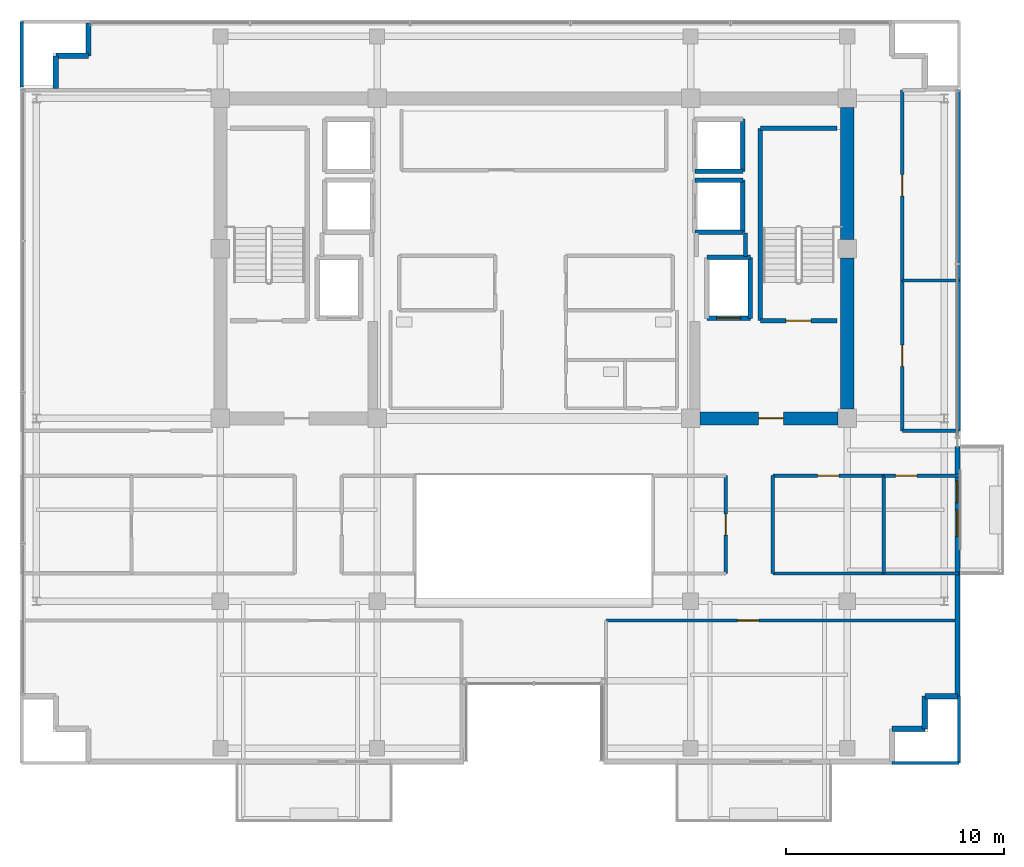
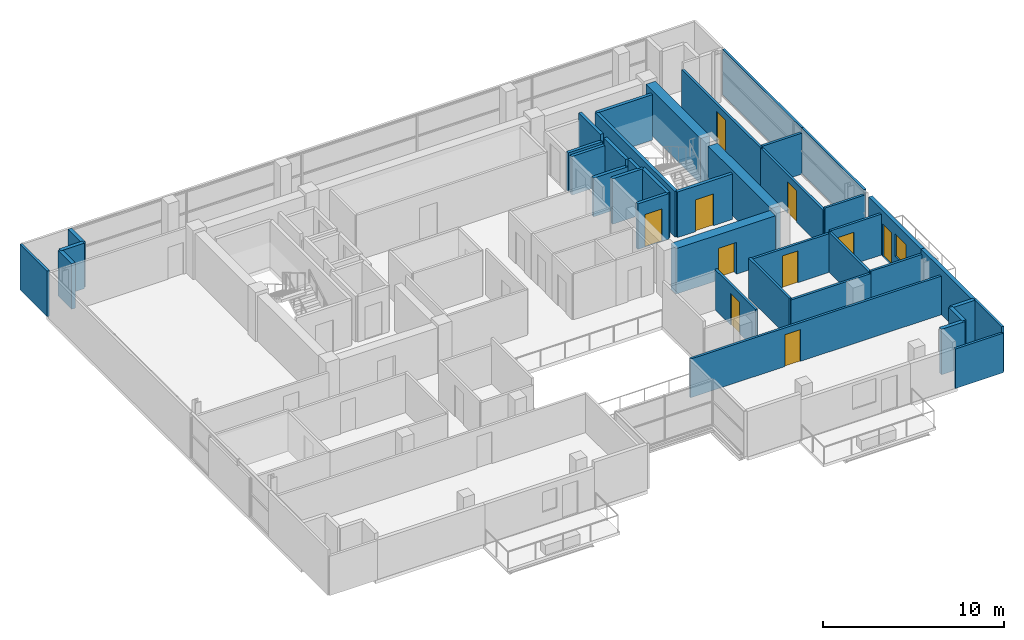
# One storey, part 18 of 23: 40 walls, 10 doors, 1 window, 11 openings.
"""IFC4 building model written with IfcOpenShell, lengths in metres."""

from ifc_helpers import new_model, si_unit, direction, frame, frame_2d, origin, place, context, subcontext, project, spatial, rectangle, extrude, source, transform, mapped, material, layer, layer_set, type_object, element, fill, save


model = new_model("IFC4")

# Units and contexts
model_context = context("Model", 3, precision=1e-05, world=origin(), true_north=direction((0.0, 1.0)))
body_context = subcontext(model_context, "Body", "Model", "MODEL_VIEW")
ifc_project = project(units=[si_unit("LENGTHUNIT", "METRE"), si_unit("AREAUNIT", "SQUARE_METRE"), si_unit("VOLUMEUNIT", "CUBIC_METRE"), si_unit("PLANEANGLEUNIT", "RADIAN"), si_unit("MASSUNIT", "GRAM", prefix="KILO")], contexts=[model_context])

# Site, building, storey
site_placement = place(None, origin())
site = spatial("IfcSite", under=ifc_project, at=site_placement, CompositionType="ELEMENT")
building_placement = place(site_placement, origin())
building = spatial("IfcBuilding", under=site, at=building_placement, Name="Zarnakvel Exchange Tower", CompositionType="ELEMENT")
storey_placement = place(building_placement, frame((0.0, 0.0, 218.800048828125)))
storey = spatial("IfcBuildingStorey", under=building, at=storey_placement, Name="L61", CompositionType="ELEMENT", Elevation=218.800048828125)

# Walls
ifc_material_1 = material(Name="Concrete C50/60", Category="concrete")
ifc_layer_1 = layer(ifc_material_1, 0.60009765625)
ifc_layer_set_1 = layer_set([ifc_layer_1], Name="Concrete C50/60")
wall_type_1 = type_object("IfcWallType", Name="CW-C5", PredefinedType="SHEAR", material=ifc_layer_set_1)
wall_1_placement = place(storey_placement, frame((14.39990234375, -0.77490234375, 0.0), z_axis=(0.0, 0.0, 1.0), x_axis=(0.0, 1.0, 0.0)))
element("IfcWall", 1, at=wall_1_placement, inside=storey, type_object=wall_type_1, Name="L61 Rear Core Shear Wall E1 (CW-C5)", PredefinedType="SHEAR", context=body_context, shape_type="SweptSolid", body=[
    extrude(rectangle(XDim=6.949951171875, YDim=0.60009765625, at=frame_2d((3.47509765625, 0.0))), origin(), (0.0, 0.0, 1.0), 3.074951171875),
])
wall_2_placement = place(storey_placement, frame((14.39990234375, 7.02490234375, 0.0), z_axis=(0.0, 0.0, 1.0), x_axis=(0.0, 1.0, 0.0)))
element("IfcWall", 2, at=wall_2_placement, inside=storey, type_object=wall_type_1, Name="L61 Rear Core Shear Wall E2 (CW-C5)", PredefinedType="SHEAR", context=body_context, shape_type="SweptSolid", body=[
    extrude(rectangle(XDim=6.050048828125, YDim=0.60009765625, at=frame_2d((3.02490234375, 0.0))), origin(), (0.0, 0.0, 1.0), 3.074951171875),
])

# Wall, opening, door
wall_3_placement = place(storey_placement, frame((13.97509765625, -1.199951171875, 0.0), z_axis=(0.0, 0.0, 1.0), x_axis=(-1.0, 0.0, 0.0)))
wall_3 = element("IfcWall", 3, at=wall_3_placement, inside=storey, type_object=wall_type_1, Name="L61 Rear Core Shear Wall SE (CW-C5)", PredefinedType="SHEAR", context=body_context, shape_type="SweptSolid", body=[
    extrude(rectangle(XDim=6.35009765625, YDim=0.60009765625, at=frame_2d((3.175048828125, 0.0))), origin(), (0.0, 0.0, 1.0), 3.074951171875),
])
opening_1_placement = place(wall_3_placement, frame((2.5, 0.0, 0.0)))
opening_1 = element("IfcOpeningElement", 4, at=opening_1_placement, cuts=wall_3, Name="Opening D-L61-04", PredefinedType="OPENING", context=body_context, shape_type="SweptSolid", body=[
    extrude(rectangle(XDim=1.14990234375, YDim=2.14990234375, at=frame_2d((0.574951171875, 1.074951171875))), frame((0.0, 0.31005859375, 0.0), z_axis=(0.0, -1.0, 0.0), x_axis=(1.0, 0.0, 0.0)), (0.0, 0.0, 1.0), 0.6201171875),
])
ifc_material_2 = material(Name="Painted Galvanised Steel S355", Category="steel")
door_type_1 = type_object("IfcDoorType", Name="DT-04", OperationType="NOTDEFINED", PredefinedType="DOOR", material=ifc_material_2)
shared_shape_1 = source(origin(), body_context, "Body", "SweptSolid", [
    extrude(rectangle(XDim=1.14990234375, YDim=2.14990234375, at=frame_2d((0.574951171875, 1.074951171875))), frame((0.0, 0.02490234375, 0.0), z_axis=(0.0, -1.0, 0.0), x_axis=(1.0, 0.0, 0.0)), (0.0, 0.0, 1.0), 0.050048828125),
])
door_1_placement = place(opening_1_placement, origin())
door_1 = element("IfcDoor", 5, at=door_1_placement, inside=storey, type_object=door_type_1, Name="L61 Firefighting Lobby East Door D-L61-04", OperationType="SINGLE_SWING_LEFT", OverallHeight=2.14990234375, OverallWidth=1.14990234375, PredefinedType="DOOR", context=body_context, shape_type="MappedRepresentation", body=[
    mapped(shared_shape_1, transform((0.0, 0.0, 0.0), x_axis=(1.0, 0.0, 0.0), y_axis=(0.0, 1.0, 0.0), z_axis=(0.0, 0.0, 1.0), scale=1.0)),
])
fill(opening_1, door_1)

# Wall, openings, door, window
ifc_material_3 = material(Name="Precast concrete C40/50", Category="concrete")
ifc_layer_2 = layer(ifc_material_3, 0.239990234375)
ifc_layer_set_2 = layer_set([ifc_layer_2], Name="Precast concrete C40/50")
wall_type_2 = type_object("IfcWallType", Name="EW-02", PredefinedType="SOLIDWALL", material=ifc_layer_set_2)
wall_4_placement = place(storey_placement, frame((19.4599609375, -2.5, 0.0), z_axis=(0.0, 0.0, 1.0), x_axis=(0.0, -1.0, 0.0)))
wall_4 = element("IfcWall", 6, at=wall_4_placement, inside=storey, type_object=wall_type_2, Name="L61 Exterior Precast Spandrel Wall EW-BAL-L61-E (EW-02)", PredefinedType="SOLIDWALL", context=body_context, shape_type="SweptSolid", body=[
    extrude(rectangle(XDim=5.800048828125, YDim=0.239990234375, at=frame_2d((2.89990234375, 0.0))), origin(), (0.0, 0.0, 1.0), 3.074951171875),
])
opening_2_placement = place(wall_4_placement, frame((1.56591796875, 0.0, 0.0)))
opening_2 = element("IfcOpeningElement", 7, at=opening_2_placement, cuts=wall_4, Name="Opening BD-L61-03", PredefinedType="OPENING", context=body_context, shape_type="SweptSolid", body=[
    extrude(rectangle(XDim=1.0, YDim=2.199951171875, at=frame_2d((0.5, 1.10009765625))), frame((0.0, 0.1298828125, 0.0), z_axis=(0.0, -1.0, 0.0), x_axis=(1.0, 0.0, 0.0)), (0.0, 0.0, 1.0), 0.260009765625),
])
opening_3_placement = place(wall_4_placement, frame((2.916015625, 0.0, 0.85009765625)))
opening_3 = element("IfcOpeningElement", 8, at=opening_3_placement, cuts=wall_4, Name="Opening WN-04", PredefinedType="OPENING", context=body_context, shape_type="SweptSolid", body=[
    extrude(rectangle(XDim=1.199951171875, YDim=1.5, at=frame_2d((0.60009765625, 0.75))), frame((0.0, 0.1298828125, 0.0), z_axis=(0.0, -1.0, 0.0), x_axis=(1.0, 0.0, 0.0)), (0.0, 0.0, 1.0), 0.260009765625),
])
ifc_material_4 = material(Name="Architectural Bronze Anodised Aluminium", Category="aluminium")
door_type_2 = type_object("IfcDoorType", Name="DT-09", OperationType="NOTDEFINED", PredefinedType="DOOR", material=ifc_material_4)
shared_shape_2 = source(origin(), body_context, "Body", "SweptSolid", [
    extrude(rectangle(XDim=1.0, YDim=2.199951171875, at=frame_2d((0.5, 1.10009765625))), frame((0.0, 0.02490234375, 0.0), z_axis=(0.0, -1.0, 0.0), x_axis=(1.0, 0.0, 0.0)), (0.0, 0.0, 1.0), 0.050048828125),
])
door_2_placement = place(opening_2_placement, origin())
door_2 = element("IfcDoor", 9, at=door_2_placement, inside=storey, type_object=door_type_2, Name="L61 Planted Loggia Balcony Door BD-L61-03", OperationType="SINGLE_SWING_LEFT", OverallHeight=2.199951171875, OverallWidth=1.0, PredefinedType="DOOR", context=body_context, shape_type="MappedRepresentation", body=[
    mapped(shared_shape_2, transform((0.0, 0.0, 0.0), x_axis=(1.0, 0.0, 0.0), y_axis=(0.0, 1.0, 0.0), z_axis=(0.0, 0.0, 1.0), scale=1.0)),
])
fill(opening_2, door_2)
ifc_material_5 = material(Name="Double Low-E Laminated Vision Glass", Category="glass")
window_type = type_object("IfcWindowType", Name="WN-04", PartitioningType="SINGLE_PANEL", PredefinedType="WINDOW", material=ifc_material_5)
shared_shape_3 = source(origin(), body_context, "Body", "SweptSolid", [
    extrude(rectangle(XDim=1.199951171875, YDim=1.5, at=frame_2d((0.60009765625, 0.75))), frame((0.0, 0.030029296875, 0.0), z_axis=(0.0, -1.0, 0.0), x_axis=(1.0, 0.0, 0.0)), (0.0, 0.0, 1.0), 0.06005859375),
])
window_placement = place(opening_3_placement, origin())
window = element("IfcWindow", 10, at=window_placement, inside=storey, type_object=window_type, Name="L61 Loggia Daylight Window (WN-04)", OverallHeight=1.5, OverallWidth=1.199951171875, PartitioningType="SINGLE_PANEL", PredefinedType="WINDOW", context=body_context, shape_type="MappedRepresentation", body=[
    mapped(shared_shape_3, transform((0.0, 0.0, 0.0), x_axis=(1.0, 0.0, 0.0), y_axis=(0.0, 1.0, 0.0), z_axis=(0.0, 0.0, 1.0), scale=1.0)),
])
fill(opening_3, window)

# Walls
for number, where, z_axis, x_axis, name in (
    (11, (-21.9599609375, 15.4599609375, 0.0), (0.0, 0.0, 1.0), (0.0, -1.0, 0.0), "L61 Exterior Precast Spandrel Wall EWC-L61-02 (EW-02)"),
    (12, (-20.4599609375, 15.4599609375, 0.0), (0.0, 0.0, 1.0), (-1.0, 0.0, 0.0), "L61 Exterior Precast Spandrel Wall EWC-L61-03 (EW-02)"),
    (13, (-20.4599609375, 16.9599609375, 0.0), (0.0, 0.0, 1.0), (0.0, -1.0, 0.0), "L61 Exterior Precast Spandrel Wall EWC-L61-04 (EW-02)"),
):
    element("IfcWall", number, at=place(storey_placement, frame(where, z_axis=z_axis, x_axis=x_axis)), inside=storey, type_object=wall_type_2, Name=name, PredefinedType="SOLIDWALL", context=body_context, shape_type="SweptSolid", body=[
        extrude(rectangle(XDim=1.5, YDim=0.239990234375, at=frame_2d((0.75, 0.0))), origin(), (0.0, 0.0, 1.0), 3.074951171875),
    ])
wall_5_placement = place(storey_placement, frame((19.4599609375, -13.9599609375, 0.0), z_axis=(0.0, 0.0, 1.0), x_axis=(0.0, 1.0, 0.0)))
element("IfcWall", 14, at=wall_5_placement, inside=storey, type_object=wall_type_2, Name="L61 Exterior Precast Spandrel Wall EWC-L61-10 (EW-02)", PredefinedType="SOLIDWALL", context=body_context, shape_type="SweptSolid", body=[
    extrude(rectangle(XDim=5.659912109375, YDim=0.239990234375, at=frame_2d((2.830078125, 0.0))), origin(), (0.0, 0.0, 1.0), 3.074951171875),
])
for number, where, z_axis, x_axis, name in (
    (15, (17.9599609375, -13.9599609375, 0.0), (0.0, 0.0, 1.0), (1.0, 0.0, 0.0), "L61 Exterior Precast Spandrel Wall EWC-L61-11 (EW-02)"),
    (16, (17.9599609375, -15.4599609375, 0.0), (0.0, 0.0, 1.0), (0.0, 1.0, 0.0), "L61 Exterior Precast Spandrel Wall EWC-L61-12 (EW-02)"),
    (17, (16.4599609375, -15.4599609375, 0.0), (0.0, 0.0, 1.0), (1.0, 0.0, 0.0), "L61 Exterior Precast Spandrel Wall EWC-L61-13 (EW-02)"),
):
    element("IfcWall", number, at=place(storey_placement, frame(where, z_axis=z_axis, x_axis=x_axis)), inside=storey, type_object=wall_type_2, Name=name, PredefinedType="SOLIDWALL", context=body_context, shape_type="SweptSolid", body=[
        extrude(rectangle(XDim=1.5, YDim=0.239990234375, at=frame_2d((0.75, 0.0))), origin(), (0.0, 0.0, 1.0), 3.074951171875),
    ])
ifc_material_6 = material(Name="Fire-Rated Gypsum Stud Partition", Category="gypsum")
ifc_layer_3 = layer(ifc_material_6, 0.14990234375)
ifc_layer_set_3 = layer_set([ifc_layer_3], Name="Fire-Rated Gypsum Stud Partition")
wall_type_3 = type_object("IfcWallType", Name="PT-01", PredefinedType="PARTITIONING", material=ifc_layer_set_3)
wall_6_placement = place(storey_placement, frame((16.077880859375, -8.320068359375, 0.0), z_axis=(0.0, 0.0, 1.0), x_axis=(-1.0, 0.0, 0.0)))
element("IfcWall", 18, at=wall_6_placement, inside=storey, type_object=wall_type_3, Name="L61 Partition Wall PWALL-L61-044 (PT-01)", PredefinedType="PARTITIONING", context=body_context, shape_type="SweptSolid", body=[
    extrude(rectangle(XDim=5.097900390625, YDim=0.14990234375, at=frame_2d((2.548828125, 0.0))), origin(), (0.0, 0.0, 1.0), 2.614990234375),
])

# Wall, opening, door
wall_7_placement = place(storey_placement, frame((10.97998046875, -3.830078125, 0.0), z_axis=(0.0, 0.0, 1.0), x_axis=(1.0, 0.0, 0.0)))
wall_7 = element("IfcWall", 19, at=wall_7_placement, inside=storey, type_object=wall_type_3, Name="L61 Partition Wall PWALL-L61-045 (PT-01)", PredefinedType="PARTITIONING", context=body_context, shape_type="SweptSolid", body=[
    extrude(rectangle(XDim=5.097900390625, YDim=0.14990234375, at=frame_2d((2.548828125, 0.0))), origin(), (0.0, 0.0, 1.0), 2.614990234375),
])
opening_4_placement = place(wall_7_placement, frame((2.05908203125, 0.0, 0.0)))
opening_4 = element("IfcOpeningElement", 20, at=opening_4_placement, cuts=wall_7, Name="Opening D-L61-15", PredefinedType="OPENING", context=body_context, shape_type="SweptSolid", body=[
    extrude(rectangle(XDim=0.97998046875, YDim=2.14990234375, at=frame_2d((0.489990234375, 1.074951171875))), frame((0.0, 0.0849609375, 0.0), z_axis=(0.0, -1.0, 0.0), x_axis=(1.0, 0.0, 0.0)), (0.0, 0.0, 1.0), 0.169921875),
])
ifc_material_7 = material(Name="Timber Acoustic Veneer", Category="wood")
door_type_3 = type_object("IfcDoorType", Name="DT-05", OperationType="NOTDEFINED", PredefinedType="DOOR", material=ifc_material_7)
shared_shape_4 = source(origin(), body_context, "Body", "SweptSolid", [
    extrude(rectangle(XDim=0.97998046875, YDim=2.14990234375, at=frame_2d((0.489990234375, 1.074951171875))), frame((0.0, 0.02490234375, 0.0), z_axis=(0.0, -1.0, 0.0), x_axis=(1.0, 0.0, 0.0)), (0.0, 0.0, 1.0), 0.050048828125),
])
door_3_placement = place(opening_4_placement, origin())
door_3 = element("IfcDoor", 21, at=door_3_placement, inside=storey, type_object=door_type_3, Name="L61 Executive Office Door D-L61-15", OperationType="SINGLE_SWING_RIGHT", OverallHeight=2.14990234375, OverallWidth=0.97998046875, PredefinedType="DOOR", context=body_context, shape_type="MappedRepresentation", body=[
    mapped(shared_shape_4, transform((0.0, 0.0, 0.0), x_axis=(1.0, 0.0, 0.0), y_axis=(0.0, 1.0, 0.0), z_axis=(0.0, 0.0, 1.0), scale=1.0)),
])
fill(opening_4, door_3)

# Walls
for number, where, z_axis, x_axis, name in (
    (22, (10.97998046875, -8.320068359375, 0.0), (0.0, 0.0, 1.0), (0.0, 1.0, 0.0), "L61 Partition Wall PWALL-L61-046 (PT-01)"),
    (23, (16.077880859375, -3.830078125, 0.0), (0.0, 0.0, 1.0), (0.0, -1.0, 0.0), "L61 Partition Wall PWALL-L61-047 (PT-01)"),
):
    element("IfcWall", number, at=place(storey_placement, frame(where, z_axis=z_axis, x_axis=x_axis)), inside=storey, type_object=wall_type_3, Name=name, PredefinedType="PARTITIONING", context=body_context, shape_type="SweptSolid", body=[
        extrude(rectangle(XDim=4.489990234375, YDim=0.14990234375, at=frame_2d((2.2451171875, 0.0))), origin(), (0.0, 0.0, 1.0), 2.704833984375),
    ])
wall_8_placement = place(storey_placement, frame((19.530029296875, -8.320068359375, 0.0), z_axis=(0.0, 0.0, 1.0), x_axis=(-1.0, 0.0, 0.0)))
element("IfcWall", 24, at=wall_8_placement, inside=storey, type_object=wall_type_3, Name="L61 Partition Wall PWALL-L61-048 (PT-01)", PredefinedType="PARTITIONING", context=body_context, shape_type="SweptSolid", body=[
    extrude(rectangle(XDim=3.4521484375, YDim=0.14990234375, at=frame_2d((1.72607421875, 0.0))), origin(), (0.0, 0.0, 1.0), 2.764892578125),
])

# Wall, opening, door
wall_9_placement = place(storey_placement, frame((16.077880859375, -3.830078125, 0.0), z_axis=(0.0, 0.0, 1.0), x_axis=(1.0, 0.0, 0.0)))
wall_9 = element("IfcWall", 25, at=wall_9_placement, inside=storey, type_object=wall_type_3, Name="L61 Partition Wall PWALL-L61-049 (PT-01)", PredefinedType="PARTITIONING", context=body_context, shape_type="SweptSolid", body=[
    extrude(rectangle(XDim=3.4521484375, YDim=0.14990234375, at=frame_2d((1.72607421875, 0.0))), origin(), (0.0, 0.0, 1.0), 2.764892578125),
])
opening_5_placement = place(wall_9_placement, frame((0.535888671875, 0.0, 0.0)))
opening_5 = element("IfcOpeningElement", 26, at=opening_5_placement, cuts=wall_9, Name="Opening D-L61-16", PredefinedType="OPENING", context=body_context, shape_type="SweptSolid", body=[
    extrude(rectangle(XDim=0.97998046875, YDim=2.14990234375, at=frame_2d((0.489990234375, 1.074951171875))), frame((0.0, 0.0849609375, 0.0), z_axis=(0.0, -1.0, 0.0), x_axis=(1.0, 0.0, 0.0)), (0.0, 0.0, 1.0), 0.169921875),
])
door_4_placement = place(opening_5_placement, origin())
door_4 = element("IfcDoor", 27, at=door_4_placement, inside=storey, type_object=door_type_3, Name="L61 Meeting Room Door D-L61-16", OperationType="SINGLE_SWING_LEFT", OverallHeight=2.14990234375, OverallWidth=0.97998046875, PredefinedType="DOOR", context=body_context, shape_type="MappedRepresentation", body=[
    mapped(shared_shape_4, transform((0.0, 0.0, 0.0), x_axis=(1.0, 0.0, 0.0), y_axis=(0.0, 1.0, 0.0), z_axis=(0.0, 0.0, 1.0), scale=1.0)),
])
fill(opening_5, door_4)

# Wall
wall_10_placement = place(storey_placement, frame((19.530029296875, -17.030029296875, 0.0), z_axis=(0.0, 0.0, 1.0), x_axis=(-1.0, 0.0, 0.0)))
element("IfcWall", 28, at=wall_10_placement, inside=storey, type_object=wall_type_3, Name="L61 Partition Wall PWALL-L61-051 (PT-01)", PredefinedType="PARTITIONING", context=body_context, shape_type="SweptSolid", body=[
    extrude(rectangle(XDim=3.070068359375, YDim=0.14990234375, at=frame_2d((1.53515625, 0.0))), origin(), (0.0, 0.0, 1.0), 2.6650390625),
])

# Wall, opening, door
wall_11_placement = place(storey_placement, frame((3.320068359375, -10.47998046875, 0.0), z_axis=(0.0, 0.0, 1.0), x_axis=(1.0, 0.0, 0.0)))
wall_11 = element("IfcWall", 29, at=wall_11_placement, inside=storey, type_object=wall_type_3, Name="L61 Partition Wall PWALL-L61-052 (PT-01)", PredefinedType="PARTITIONING", context=body_context, shape_type="SweptSolid", body=[
    extrude(rectangle(XDim=16.2099609375, YDim=0.14990234375, at=frame_2d((8.10498046875, 0.0))), origin(), (0.0, 0.0, 1.0), 2.614990234375),
])
opening_6_placement = place(wall_11_placement, frame((6.0400390625, 0.0, 0.0)))
opening_6 = element("IfcOpeningElement", 30, at=opening_6_placement, cuts=wall_11, Name="Opening D-L61-17", PredefinedType="OPENING", context=body_context, shape_type="SweptSolid", body=[
    extrude(rectangle(XDim=0.97998046875, YDim=2.14990234375, at=frame_2d((0.489990234375, 1.074951171875))), frame((0.0, 0.0849609375, 0.0), z_axis=(0.0, -1.0, 0.0), x_axis=(1.0, 0.0, 0.0)), (0.0, 0.0, 1.0), 0.169921875),
])
door_5_placement = place(opening_6_placement, origin())
door_5 = element("IfcDoor", 31, at=door_5_placement, inside=storey, type_object=door_type_3, Name="L61 Clearing Office Door D-L61-17", OperationType="SINGLE_SWING_RIGHT", OverallHeight=2.14990234375, OverallWidth=0.97998046875, PredefinedType="DOOR", context=body_context, shape_type="MappedRepresentation", body=[
    mapped(shared_shape_4, transform((0.0, 0.0, 0.0), x_axis=(1.0, 0.0, 0.0), y_axis=(0.0, 1.0, 0.0), z_axis=(0.0, 0.0, 1.0), scale=1.0)),
])
fill(opening_6, door_5)

# Wall
wall_12_placement = place(storey_placement, frame((19.530029296875, -13.9599609375, 0.0), z_axis=(0.0, 0.0, 1.0), x_axis=(0.0, -1.0, 0.0)))
element("IfcWall", 32, at=wall_12_placement, inside=storey, type_object=wall_type_3, Name="L61 Partition Wall PWALL-L61-054 (PT-01)", PredefinedType="PARTITIONING", context=body_context, shape_type="SweptSolid", body=[
    extrude(rectangle(XDim=3.070068359375, YDim=0.14990234375, at=frame_2d((1.53515625, 0.0))), origin(), (0.0, 0.0, 1.0), 3.074951171875),
])

# Wall, opening, door
wall_13_placement = place(storey_placement, frame((8.820068359375, -3.830078125, 0.0), z_axis=(0.0, 0.0, 1.0), x_axis=(0.0, -1.0, 0.0)))
wall_13 = element("IfcWall", 33, at=wall_13_placement, inside=storey, type_object=wall_type_3, Name="L61 Partition Wall PWALL-L61-062 (PT-01)", PredefinedType="PARTITIONING", context=body_context, shape_type="SweptSolid", body=[
    extrude(rectangle(XDim=4.489990234375, YDim=0.14990234375, at=frame_2d((2.2451171875, 0.0))), origin(), (0.0, 0.0, 1.0), 2.704833984375),
])
opening_7_placement = place(wall_13_placement, frame((1.7548828125, 0.0, 0.0)))
opening_7 = element("IfcOpeningElement", 34, at=opening_7_placement, cuts=wall_13, Name="Opening D-L61-19", PredefinedType="OPENING", context=body_context, shape_type="SweptSolid", body=[
    extrude(rectangle(XDim=0.97998046875, YDim=2.14990234375, at=frame_2d((0.489990234375, 1.074951171875))), frame((0.0, 0.0849609375, 0.0), z_axis=(0.0, -1.0, 0.0), x_axis=(1.0, 0.0, 0.0)), (0.0, 0.0, 1.0), 0.169921875),
])
door_6_placement = place(opening_7_placement, origin())
door_6 = element("IfcDoor", 35, at=door_6_placement, inside=storey, type_object=door_type_3, Name="L61 Settlement Office Door D-L61-19", OperationType="SINGLE_SWING_RIGHT", OverallHeight=2.14990234375, OverallWidth=0.97998046875, PredefinedType="DOOR", context=body_context, shape_type="MappedRepresentation", body=[
    mapped(shared_shape_4, transform((0.0, 0.0, 0.0), x_axis=(1.0, 0.0, 0.0), y_axis=(0.0, 1.0, 0.0), z_axis=(0.0, 0.0, 1.0), scale=1.0)),
])
fill(opening_7, door_6)

# Walls
for number, where, z_axis, x_axis, name in (
    (36, (19.530029296875, -1.77001953125, 0.0), (0.0, 0.0, 1.0), (-1.0, 0.0, 0.0), "L61 Partition Wall PWALL-L61-066 (PT-01)"),
    (37, (16.929931640625, 5.13525390625, 0.0), (0.0, 0.0, 1.0), (1.0, 0.0, 0.0), "L61 Partition Wall PWALL-L61-067 (PT-01)"),
):
    element("IfcWall", number, at=place(storey_placement, frame(where, z_axis=z_axis, x_axis=x_axis)), inside=storey, type_object=wall_type_3, Name=name, PredefinedType="PARTITIONING", context=body_context, shape_type="SweptSolid", body=[
        extrude(rectangle(XDim=2.60009765625, YDim=0.14990234375, at=frame_2d((1.300048828125, 0.0))), origin(), (0.0, 0.0, 1.0), 2.764892578125),
    ])

# Wall, opening, door
wall_14_placement = place(storey_placement, frame((16.929931640625, -1.77001953125, 0.0), z_axis=(0.0, 0.0, 1.0), x_axis=(0.0, 1.0, 0.0)))
wall_14 = element("IfcWall", 38, at=wall_14_placement, inside=storey, type_object=wall_type_3, Name="L61 Partition Wall PWALL-L61-068 (PT-01)", PredefinedType="PARTITIONING", context=body_context, shape_type="SweptSolid", body=[
    extrude(rectangle(XDim=6.9052734375, YDim=0.14990234375, at=frame_2d((3.45263671875, 0.0))), origin(), (0.0, 0.0, 1.0), 2.614990234375),
])
opening_8_placement = place(wall_14_placement, frame((2.962890625, 0.0, 0.0)))
opening_8 = element("IfcOpeningElement", 39, at=opening_8_placement, cuts=wall_14, Name="Opening D-L61-21", PredefinedType="OPENING", context=body_context, shape_type="SweptSolid", body=[
    extrude(rectangle(XDim=0.97998046875, YDim=2.14990234375, at=frame_2d((0.489990234375, 1.074951171875))), frame((0.0, 0.0849609375, 0.0), z_axis=(0.0, -1.0, 0.0), x_axis=(1.0, 0.0, 0.0)), (0.0, 0.0, 1.0), 0.169921875),
])
door_7_placement = place(opening_8_placement, origin())
door_7 = element("IfcDoor", 40, at=door_7_placement, inside=storey, type_object=door_type_3, Name="L61 Breakout Pantry Door D-L61-21", OperationType="SINGLE_SWING_RIGHT", OverallHeight=2.14990234375, OverallWidth=0.97998046875, PredefinedType="DOOR", context=body_context, shape_type="MappedRepresentation", body=[
    mapped(shared_shape_4, transform((0.0, 0.0, 0.0), x_axis=(1.0, 0.0, 0.0), y_axis=(0.0, 1.0, 0.0), z_axis=(0.0, 0.0, 1.0), scale=1.0)),
])
fill(opening_8, door_7)

# Wall
wall_15_placement = place(storey_placement, frame((19.530029296875, 5.13525390625, 0.0), z_axis=(0.0, 0.0, 1.0), x_axis=(0.0, -1.0, 0.0)))
element("IfcWall", 41, at=wall_15_placement, inside=storey, type_object=wall_type_3, Name="L61 Partition Wall PWALL-L61-069 (PT-01)", PredefinedType="PARTITIONING", context=body_context, shape_type="SweptSolid", body=[
    extrude(rectangle(XDim=6.9052734375, YDim=0.14990234375, at=frame_2d((3.45263671875, 0.0))), origin(), (0.0, 0.0, 1.0), 3.074951171875),
])

# Wall, opening, door
wall_16_placement = place(storey_placement, frame((16.929931640625, 5.13525390625, 0.0), z_axis=(0.0, 0.0, 1.0), x_axis=(0.0, 1.0, 0.0)))
wall_16 = element("IfcWall", 42, at=wall_16_placement, inside=storey, type_object=wall_type_3, Name="L61 Partition Wall PWALL-L61-071 (PT-01)", PredefinedType="PARTITIONING", context=body_context, shape_type="SweptSolid", body=[
    extrude(rectangle(XDim=8.74462890625, YDim=0.14990234375, at=frame_2d((4.372314453125, 0.0))), origin(), (0.0, 0.0, 1.0), 2.614990234375),
])
opening_9_placement = place(wall_16_placement, frame((3.8828125, 0.0, 0.0)))
opening_9 = element("IfcOpeningElement", 43, at=opening_9_placement, cuts=wall_16, Name="Opening D-L61-22", PredefinedType="OPENING", context=body_context, shape_type="SweptSolid", body=[
    extrude(rectangle(XDim=0.97998046875, YDim=2.14990234375, at=frame_2d((0.489990234375, 1.074951171875))), frame((0.0, 0.0849609375, 0.0), z_axis=(0.0, -1.0, 0.0), x_axis=(1.0, 0.0, 0.0)), (0.0, 0.0, 1.0), 0.169921875),
])
door_8_placement = place(opening_9_placement, origin())
door_8 = element("IfcDoor", 44, at=door_8_placement, inside=storey, type_object=door_type_3, Name="L61 Settlement Office Door D-L61-22", OperationType="SINGLE_SWING_LEFT", OverallHeight=2.14990234375, OverallWidth=0.97998046875, PredefinedType="DOOR", context=body_context, shape_type="MappedRepresentation", body=[
    mapped(shared_shape_4, transform((0.0, 0.0, 0.0), x_axis=(1.0, 0.0, 0.0), y_axis=(0.0, 1.0, 0.0), z_axis=(0.0, 0.0, 1.0), scale=1.0)),
])
fill(opening_9, door_8)

# Walls
wall_17_placement = place(storey_placement, frame((19.530029296875, 13.8798828125, 0.0), z_axis=(0.0, 0.0, 1.0), x_axis=(0.0, -1.0, 0.0)))
element("IfcWall", 45, at=wall_17_placement, inside=storey, type_object=wall_type_3, Name="L61 Partition Wall PWALL-L61-072 (PT-01)", PredefinedType="PARTITIONING", context=body_context, shape_type="SweptSolid", body=[
    extrude(rectangle(XDim=8.74462890625, YDim=0.14990234375, at=frame_2d((4.372314453125, 0.0))), origin(), (0.0, 0.0, 1.0), 3.074951171875),
])
wall_18_placement = place(storey_placement, frame((-23.530029296875, 14.030029296875, 0.0), z_axis=(0.0, 0.0, 1.0), x_axis=(0.0, 1.0, 0.0)))
element("IfcWall", 46, at=wall_18_placement, inside=storey, type_object=wall_type_3, Name="L61 Partition Wall PWALL-L61-074 (PT-01)", PredefinedType="PARTITIONING", context=body_context, shape_type="SweptSolid", body=[
    extrude(rectangle(XDim=3.0, YDim=0.14990234375, at=frame_2d((1.5, 0.0))), origin(), (0.0, 0.0, 1.0), 3.074951171875),
])
ifc_layer_4 = layer(ifc_material_6, 0.179931640625)
ifc_layer_set_4 = layer_set([ifc_layer_4], Name="Fire-Rated Gypsum Stud Partition")
wall_type_4 = type_object("IfcWallType", Name="PT-02", PredefinedType="PARTITIONING", material=ifc_layer_set_4)
wall_19_placement = place(storey_placement, frame((9.72998046875, 7.330078125, 0.0), z_axis=(0.0, 0.0, 1.0), x_axis=(0.0, -1.0, 0.0)))
element("IfcWall", 47, at=wall_19_placement, inside=storey, type_object=wall_type_4, Name="L61 Partition Wall PWALL-L61-010 (PT-02)", PredefinedType="PARTITIONING", context=body_context, shape_type="SweptSolid", body=[
    extrude(rectangle(XDim=1.090087890625, YDim=0.179931640625, at=frame_2d((0.544921875, 0.0))), origin(), (0.0, 0.0, 1.0), 3.074951171875),
])

# Wall, opening, door
ifc_material_8 = material(Name="Concrete C40/50", Category="concrete")
ifc_layer_5 = layer(ifc_material_8, 0.199951171875)
ifc_layer_set_5 = layer_set([ifc_layer_5], Name="Concrete C40/50")
wall_type_5 = type_object("IfcWallType", Name="SW-01", PredefinedType="SOLIDWALL", material=ifc_layer_set_5)
wall_20_placement = place(storey_placement, frame((9.949951171875, 3.39990234375, 0.0), z_axis=(0.0, 0.0, 1.0), x_axis=(-1.0, 0.0, 0.0)))
wall_20 = element("IfcWall", 48, at=wall_20_placement, inside=storey, type_object=wall_type_5, Name="L61 FL-02 Hoistway Wall South", PredefinedType="SOLIDWALL", context=body_context, shape_type="SweptSolid", body=[
    extrude(rectangle(XDim=2.0, YDim=0.199951171875, at=frame_2d((1.0, 0.0))), origin(), (0.0, 0.0, 1.0), 3.074951171875),
])
opening_10_placement = place(wall_20_placement, frame((0.449951171875, 0.0, 0.0)))
opening_10 = element("IfcOpeningElement", 49, at=opening_10_placement, cuts=wall_20, Name="Opening LD-FL-02-L61", PredefinedType="OPENING", context=body_context, shape_type="SweptSolid", body=[
    extrude(rectangle(XDim=1.10009765625, YDim=2.199951171875, at=frame_2d((0.550048828125, 1.10009765625))), frame((0.0, 0.10986328125, 0.0), z_axis=(0.0, -1.0, 0.0), x_axis=(1.0, 0.0, 0.0)), (0.0, 0.0, 1.0), 0.219970703125),
])
ifc_material_9 = material(Name="Brushed Stainless Steel", Category="steel")
door_type_4 = type_object("IfcDoorType", Name="LDT-01", OperationType="NOTDEFINED", PredefinedType="DOOR", material=ifc_material_9)
shared_shape_5 = source(origin(), body_context, "Body", "SweptSolid", [
    extrude(rectangle(XDim=1.10009765625, YDim=2.199951171875, at=frame_2d((0.550048828125, 1.10009765625))), frame((0.0, 0.02490234375, 0.0), z_axis=(0.0, -1.0, 0.0), x_axis=(1.0, 0.0, 0.0)), (0.0, 0.0, 1.0), 0.050048828125),
])
door_9_placement = place(opening_10_placement, origin())
door_9 = element("IfcDoor", 50, at=door_9_placement, inside=storey, type_object=door_type_4, Name="L61 FL-02 Lift Landing Door LD-FL-02-L61", OperationType="DOUBLE_DOOR_SLIDING", OverallHeight=2.199951171875, OverallWidth=1.10009765625, PredefinedType="DOOR", context=body_context, shape_type="MappedRepresentation", body=[
    mapped(shared_shape_5, transform((0.0, 0.0, 0.0), x_axis=(1.0, 0.0, 0.0), y_axis=(0.0, 1.0, 0.0), z_axis=(0.0, 0.0, 1.0), scale=1.0)),
])
fill(opening_10, door_9)

# Walls
wall_21_placement = place(storey_placement, frame((7.949951171875, 6.199951171875, 0.0), z_axis=(0.0, 0.0, 1.0), x_axis=(1.0, 0.0, 0.0)))
element("IfcWall", 51, at=wall_21_placement, inside=storey, type_object=wall_type_5, Name="L61 FL-02 Hoistway Wall North", PredefinedType="SOLIDWALL", context=body_context, shape_type="SweptSolid", body=[
    extrude(rectangle(XDim=2.0, YDim=0.199951171875, at=frame_2d((1.0, 0.0))), origin(), (0.0, 0.0, 1.0), 3.074951171875),
])
wall_22_placement = place(storey_placement, frame((9.949951171875, 6.199951171875, 0.0), z_axis=(0.0, 0.0, 1.0), x_axis=(0.0, -1.0, 0.0)))
element("IfcWall", 52, at=wall_22_placement, inside=storey, type_object=wall_type_5, Name="L61 FL-02 Hoistway Wall East", PredefinedType="SOLIDWALL", context=body_context, shape_type="SweptSolid", body=[
    extrude(rectangle(XDim=2.800048828125, YDim=0.199951171875, at=frame_2d((1.39990234375, 0.0))), origin(), (0.0, 0.0, 1.0), 3.074951171875),
])
for number, where, z_axis, x_axis, name in (
    (53, (9.60009765625, 7.35009765625, 0.0), (0.0, 0.0, 1.0), (-1.0, 0.0, 0.0), "L61 PL-11 Hoistway Wall South"),
    (54, (7.39990234375, 9.75, 0.0), (0.0, 0.0, 1.0), (1.0, 0.0, 0.0), "L61 PL-11 Hoistway Wall North"),
):
    element("IfcWall", number, at=place(storey_placement, frame(where, z_axis=z_axis, x_axis=x_axis)), inside=storey, type_object=wall_type_5, Name=name, PredefinedType="SOLIDWALL", context=body_context, shape_type="SweptSolid", body=[
        extrude(rectangle(XDim=2.2001953125, YDim=0.199951171875, at=frame_2d((1.10009765625, 0.0))), origin(), (0.0, 0.0, 1.0), 2.614990234375),
    ])
wall_23_placement = place(storey_placement, frame((9.60009765625, 9.75, 0.0), z_axis=(0.0, 0.0, 1.0), x_axis=(0.0, -1.0, 0.0)))
element("IfcWall", 55, at=wall_23_placement, inside=storey, type_object=wall_type_5, Name="L61 PL-11 Hoistway Wall East", PredefinedType="SOLIDWALL", context=body_context, shape_type="SweptSolid", body=[
    extrude(rectangle(XDim=2.39990234375, YDim=0.199951171875, at=frame_2d((1.199951171875, 0.0))), origin(), (0.0, 0.0, 1.0), 3.074951171875),
])
wall_24_placement = place(storey_placement, frame((9.60009765625, 10.14990234375, 0.0), z_axis=(0.0, 0.0, 1.0), x_axis=(-1.0, 0.0, 0.0)))
element("IfcWall", 56, at=wall_24_placement, inside=storey, type_object=wall_type_5, Name="L61 PL-12 Hoistway Wall South", PredefinedType="SOLIDWALL", context=body_context, shape_type="SweptSolid", body=[
    extrude(rectangle(XDim=2.2001953125, YDim=0.199951171875, at=frame_2d((1.10009765625, 0.0))), origin(), (0.0, 0.0, 1.0), 2.614990234375),
])
wall_25_placement = place(storey_placement, frame((9.60009765625, 12.550048828125, 0.0), z_axis=(0.0, 0.0, 1.0), x_axis=(0.0, -1.0, 0.0)))
element("IfcWall", 57, at=wall_25_placement, inside=storey, type_object=wall_type_5, Name="L61 PL-12 Hoistway Wall East", PredefinedType="SOLIDWALL", context=body_context, shape_type="SweptSolid", body=[
    extrude(rectangle(XDim=2.400146484375, YDim=0.199951171875, at=frame_2d((1.2001953125, 0.0))), origin(), (0.0, 0.0, 1.0), 3.074951171875),
])

# Wall, opening, door
ifc_layer_6 = layer(ifc_material_8, 0.199951171875)
ifc_layer_set_6 = layer_set([ifc_layer_6], Name="Concrete C40/50")
wall_type_6 = type_object("IfcWallType", Name="SW-02", PredefinedType="SOLIDWALL", material=ifc_layer_set_6)
wall_26_placement = place(storey_placement, frame((13.929931640625, 3.2900390625, 0.0), z_axis=(0.0, 0.0, 1.0), x_axis=(-1.0, 0.0, 0.0)))
wall_26 = element("IfcWall", 58, at=wall_26_placement, inside=storey, type_object=wall_type_6, Name="L61 Stairwell Core Wall PWALL-L61-004 (SW-02)", PredefinedType="SOLIDWALL", context=body_context, shape_type="SweptSolid", body=[
    extrude(rectangle(XDim=3.52001953125, YDim=0.199951171875, at=frame_2d((1.760009765625, 0.0))), origin(), (0.0, 0.0, 1.0), 3.074951171875),
])
opening_11_placement = place(wall_26_placement, frame((1.205078125, 0.0, 0.0)))
opening_11 = element("IfcOpeningElement", 59, at=opening_11_placement, cuts=wall_26, Name="Opening D-L61-02", PredefinedType="OPENING", context=body_context, shape_type="SweptSolid", body=[
    extrude(rectangle(XDim=1.14990234375, YDim=2.14990234375, at=frame_2d((0.574951171875, 1.074951171875))), frame((0.0, 0.10986328125, 0.0), z_axis=(0.0, -1.0, 0.0), x_axis=(1.0, 0.0, 0.0)), (0.0, 0.0, 1.0), 0.219970703125),
])
door_10_placement = place(opening_11_placement, origin())
door_10 = element("IfcDoor", 60, at=door_10_placement, inside=storey, type_object=door_type_1, Name="L61 Stairwell ST-02 Door D-L61-02", OperationType="SINGLE_SWING_LEFT", OverallHeight=2.14990234375, OverallWidth=1.14990234375, PredefinedType="DOOR", context=body_context, shape_type="MappedRepresentation", body=[
    mapped(shared_shape_1, transform((0.0, 0.0, 0.0), x_axis=(1.0, 0.0, 0.0), y_axis=(0.0, 1.0, 0.0), z_axis=(0.0, 0.0, 1.0), scale=1.0)),
])
fill(opening_11, door_10)

# Walls
wall_27_placement = place(storey_placement, frame((10.409912109375, 12.1298828125, 0.0), z_axis=(0.0, 0.0, 1.0), x_axis=(1.0, 0.0, 0.0)))
element("IfcWall", 61, at=wall_27_placement, inside=storey, type_object=wall_type_6, Name="L61 Stairwell Core Wall PWALL-L61-005 (SW-02)", PredefinedType="SOLIDWALL", context=body_context, shape_type="SweptSolid", body=[
    extrude(rectangle(XDim=3.52001953125, YDim=0.199951171875, at=frame_2d((1.760009765625, 0.0))), origin(), (0.0, 0.0, 1.0), 3.074951171875),
])
wall_28_placement = place(storey_placement, frame((10.409912109375, 3.2900390625, 0.0), z_axis=(0.0, 0.0, 1.0), x_axis=(0.0, 1.0, 0.0)))
element("IfcWall", 62, at=wall_28_placement, inside=storey, type_object=wall_type_6, Name="L61 Stairwell Core Wall PWALL-L61-006 (SW-02)", PredefinedType="SOLIDWALL", context=body_context, shape_type="SweptSolid", body=[
    extrude(rectangle(XDim=8.83984375, YDim=0.199951171875, at=frame_2d((4.419921875, 0.0))), origin(), (0.0, 0.0, 1.0), 3.074951171875),
])

save(model, "model.ifc")
